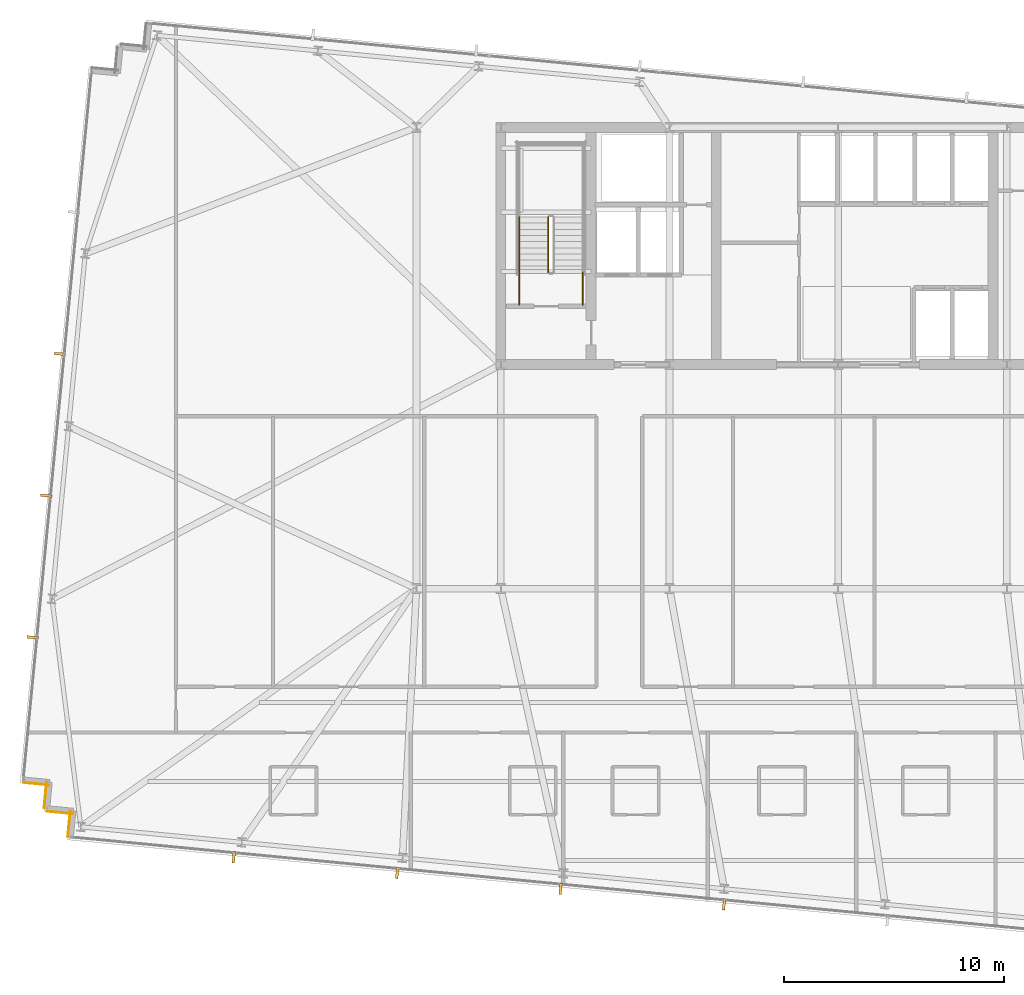
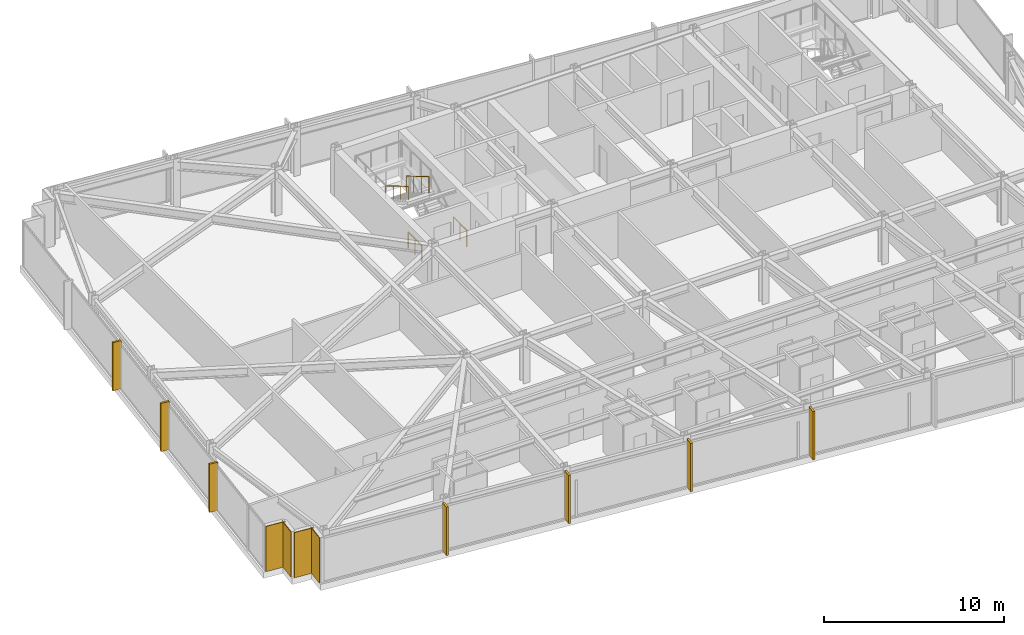
# One storey, part 32 of 37: 7 shading devices, 4 coverings, 4 railings.
"""IFC4 building model written with IfcOpenShell, lengths in metres."""

import ifcopenshell
import ifcopenshell.guid

model = None  # the IFC model being written
_history = None  # IfcOwnerHistory: only IFC2X3 demands one
_inside = {}  # id of a spatial element -> (the spatial element, [elements in it])
_under = {}  # id of a project, library or spatial element -> (it, [spatial elements below it])
_declared = {}  # id of a project -> (the project, [libraries it declares])
_typed = {}  # id of a type object -> (the type object, [elements of that type])
_made_of = {}  # id of a material, layer set ... -> (it, [elements and type objects made of it])


def new_model(schema):
    """Start an empty IFC model of exactly this schema.

    Asked for "IFC4X3", IfcOpenShell would pick the latest addendum, in which some entities
    have other attributes; the version numbers below select the first issue.
    IFC2X3 requires an IfcOwnerHistory on every rooted entity: one is made here for all.
    """
    global model, _history
    if schema == "IFC4X3":
        model = ifcopenshell.file(schema_version=(4, 3, 0, 0))
    else:
        model = ifcopenshell.file(schema=schema)
    _inside.clear()
    _under.clear()
    _declared.clear()
    _typed.clear()
    _made_of.clear()
    _history = None
    if model.schema == "IFC2X3":
        org = make("IfcOrganization", Name="unknown")
        user = make(
            "IfcPersonAndOrganization",
            ThePerson=make("IfcPerson", FamilyName="unknown"),
            TheOrganization=org,
        )
        app = make(
            "IfcApplication",
            ApplicationDeveloper=org,
            Version="unknown",
            ApplicationFullName="unknown",
            ApplicationIdentifier="unknown",
        )
        _history = make(
            "IfcOwnerHistory",
            OwningUser=user,
            OwningApplication=app,
            ChangeAction="ADDED",
            CreationDate=0,
        )
    return model


def make(cls, **values):
    """One entity of the class cls with the attributes given. An attribute that is None is left unset."""
    return model.create_entity(
        cls, **{name: value for name, value in values.items() if value is not None}
    )


def rooted(cls, **values):
    """An entity with a GlobalId (a new one), such as an element, a storey or a relation."""
    return make(cls, GlobalId=ifcopenshell.guid.new(), OwnerHistory=_history, **values)


def si_unit(unit_type, name, prefix=None):
    """IfcSIUnit, for example si_unit("LENGTHUNIT", "METRE", prefix="MILLI")."""
    return make("IfcSIUnit", UnitType=unit_type, Prefix=prefix, Name=name)


def assignment(units):
    """IfcUnitAssignment: the units of a project."""
    return None if units is None else make("IfcUnitAssignment", Units=units)


def point(xyz):
    """IfcCartesianPoint."""
    return None if xyz is None else make("IfcCartesianPoint", Coordinates=xyz)


def direction(xyz):
    """IfcDirection."""
    return None if xyz is None else make("IfcDirection", DirectionRatios=xyz)


def frame(location, z_axis=None, x_axis=None):
    """IfcAxis2Placement3D, a coordinate frame: its origin and axes. An axis left out is left unset."""
    return make(
        "IfcAxis2Placement3D",
        Location=point(location),
        Axis=direction(z_axis),
        RefDirection=direction(x_axis),
    )


def frame_2d(location, x_axis=None):
    """IfcAxis2Placement2D, a coordinate frame in the plane: its origin and x axis."""
    return make(
        "IfcAxis2Placement2D", Location=point(location), RefDirection=direction(x_axis)
    )


def origin():
    """The frame at (0, 0, 0) with its axes left unset."""
    return frame((0.0, 0.0, 0.0))


def origin_2d():
    """The frame at (0, 0) in the plane with its x axis left unset."""
    return frame_2d((0.0, 0.0))


def place(relative_to, where):
    """IfcLocalPlacement: puts the frame where relative to a parent placement (None: the world)."""
    return make(
        "IfcLocalPlacement", PlacementRelTo=relative_to, RelativePlacement=where
    )


def context(
    kind, dimensions, precision=None, world=None, true_north=None, identifier=None
):
    """IfcGeometricRepresentationContext, for example the 3D "Model" context."""
    return make(
        "IfcGeometricRepresentationContext",
        ContextIdentifier=identifier,
        ContextType=kind,
        CoordinateSpaceDimension=dimensions,
        Precision=precision,
        WorldCoordinateSystem=world,
        TrueNorth=true_north,
    )


def subcontext(parent, identifier, kind, view, scale=None):
    """IfcGeometricRepresentationSubContext, for example "Body" below "Model"."""
    return make(
        "IfcGeometricRepresentationSubContext",
        ContextIdentifier=identifier,
        ContextType=kind,
        ParentContext=parent,
        TargetScale=scale,
        TargetView=view,
    )


def project(units=None, contexts=None):
    """IfcProject with its units and contexts."""
    return rooted(
        "IfcProject",
        Name="project",
        RepresentationContexts=contexts,
        UnitsInContext=assignment(units),
    )


def spatial(cls, under=None, at=None, **own):
    """A site, building, storey or space (cls), placed at a placement, below another one or the project."""
    s = rooted(cls, ObjectPlacement=at, **own)
    if under is not None:
        _under.setdefault(under.id(), (under, []))[1].append(s)
    return s


def profile(cls, at=None, kind="AREA", **sizes):
    """A parametric profile (cls). Its sizes go by their IFC names, for example OverallWidth=200.0."""
    return make(cls, ProfileType=kind, Position=at, **sizes)


def rectangle(**sizes):
    """IfcRectangleProfileDef."""
    return profile("IfcRectangleProfileDef", **sizes)


def circle(**sizes):
    """IfcCircleProfileDef."""
    return profile("IfcCircleProfileDef", **sizes)


def extrude(swept, where, along, depth):
    """IfcExtrudedAreaSolid: the profile swept, set in the frame where, extruded along a direction by depth."""
    return make(
        "IfcExtrudedAreaSolid",
        SweptArea=swept,
        Position=where,
        ExtrudedDirection=direction(along),
        Depth=depth,
    )


def shape(context_of_items, identifier, shape_type, items):
    """IfcShapeRepresentation: the items that make up one representation, for example the "Body"."""
    return make(
        "IfcShapeRepresentation",
        ContextOfItems=context_of_items,
        RepresentationIdentifier=identifier,
        RepresentationType=shape_type,
        Items=items,
    )


def material(Name=None, Category=None):
    """IfcMaterial."""
    return make("IfcMaterial", Name=Name, Category=Category)


def layer(
    of_material, thickness, ventilated=None, Name=None, Category=None, Priority=None
):
    """IfcMaterialLayer: one layer of a wall or slab, of a material (None: an air gap)."""
    return make(
        "IfcMaterialLayer",
        Material=of_material,
        LayerThickness=thickness,
        IsVentilated=ventilated,
        Name=Name,
        Category=Category,
        Priority=Priority,
    )


def layer_set(layers, Name=None):
    """IfcMaterialLayerSet."""
    return make("IfcMaterialLayerSet", MaterialLayers=layers, LayerSetName=Name)


def made_of(thing, what):
    """Note that an element or type object is made of a material, layer set ...; save() writes the relation."""
    if what is not None:
        _made_of.setdefault(what.id(), (what, []))[1].append(thing)
    return thing


def type_object(cls, material=None, **own):
    """A type object (cls), such as IfcWallType, which elements share."""
    return made_of(rooted(cls, **own), material)


def element(
    cls,
    number,
    at=None,
    inside=None,
    cuts=None,
    type_object=None,
    material=None,
    context=None,
    identifier="Body",
    shape_type=None,
    held_by="IfcProductDefinitionShape",
    body=None,
    shapes=None,
    **own,
):
    """One element of the class cls, such as IfcWall. Its Tag is "e" and its number.

    at: its placement. inside: the storey or other place that contains it. cuts: it is an
    opening in that element (IfcRelVoidsElement). A single representation is given by context,
    identifier, shape_type and body (its items); several are given by shapes. held_by: the class
    of the entity that holds the representations. save() writes the other relations.
    """
    e = rooted(cls, Tag="e%d" % number, ObjectPlacement=at, **own)
    if body is not None:
        shapes = [shape(context, identifier, shape_type, body)]
    if shapes is not None:
        e.Representation = make(held_by, Representations=shapes)
    if inside is not None:
        _inside.setdefault(inside.id(), (inside, []))[1].append(e)
    if cuts is not None:
        rooted(
            "IfcRelVoidsElement", RelatingBuildingElement=cuts, RelatedOpeningElement=e
        )
    if type_object is not None:
        _typed.setdefault(type_object.id(), (type_object, []))[1].append(e)
    return made_of(e, material)


def aggregate(whole, parts):
    """IfcRelAggregates: a whole, such as a stair, and the parts it consists of."""
    return rooted("IfcRelAggregates", RelatingObject=whole, RelatedObjects=parts)


def save(model, path):
    """Write the relations noted so far, then the file.

    IfcRelAggregates (storeys below a building ...), IfcRelContainedInSpatialStructure (elements
    in a storey), IfcRelDefinesByType, IfcRelAssociatesMaterial and IfcRelDeclares: one each for
    every whole, place, type object, material and project.
    """
    for whole, parts in _under.values():
        aggregate(whole, parts)
    for where, things in _inside.values():
        rooted(
            "IfcRelContainedInSpatialStructure",
            RelatedElements=things,
            RelatingStructure=where,
        )
    for kind, things in _typed.values():
        rooted("IfcRelDefinesByType", RelatedObjects=things, RelatingType=kind)
    for what, things in _made_of.values():
        rooted("IfcRelAssociatesMaterial", RelatedObjects=things, RelatingMaterial=what)
    for by, libraries in _declared.values():
        rooted("IfcRelDeclares", RelatingContext=by, RelatedDefinitions=libraries)
    model.write(path)


model = new_model("IFC4")

# Units and contexts
model_context = context("Model", 3, precision=1e-05, world=origin(), true_north=direction((0.0, 1.0)))
body_context = subcontext(model_context, "Body", "Model", "MODEL_VIEW")
ifc_project = project(units=[si_unit("LENGTHUNIT", "METRE"), si_unit("AREAUNIT", "SQUARE_METRE"), si_unit("VOLUMEUNIT", "CUBIC_METRE"), si_unit("PLANEANGLEUNIT", "RADIAN"), si_unit("MASSUNIT", "GRAM", prefix="KILO")], contexts=[model_context])

# Site, building, storey
site_placement = place(None, origin())
site = spatial("IfcSite", under=ifc_project, at=site_placement, CompositionType="ELEMENT")
building_placement = place(site_placement, origin())
building = spatial("IfcBuilding", under=site, at=building_placement, Name="Yelkora Congress Tower", CompositionType="ELEMENT")
storey_placement = place(building_placement, frame((0.0, 0.0, 149.0)))
storey = spatial("IfcBuildingStorey", under=building, at=storey_placement, Name="L40", CompositionType="ELEMENT", Elevation=149.0)

# Coverings
ifc_material_1 = material(Name="Anatolian bush-hammered limestone", Category="masonry")
ifc_layer_1 = layer(ifc_material_1, 0.0400390625)
ifc_layer_set_1 = layer_set([ifc_layer_1], Name="Anatolian bush-hammered limestone")
covering_type = type_object("IfcCoveringType", Name="COV-CLAD-SPANDREL-40", PredefinedType="CLADDING", material=ifc_layer_set_1)
covering_1_placement = place(storey_placement, frame((3.327880859375, 13.90185546875, 0.0), z_axis=(0.0, 0.0, 1.0), x_axis=(0.095817067274, 0.995398960025, 0.0)))
element("IfcCovering", 1, at=covering_1_placement, inside=storey, type_object=covering_type, Name="L40 Anatolian Limestone Cladding EW-L40-SR01", PredefinedType="CLADDING", context=body_context, shape_type="SweptSolid", body=[
    extrude(rectangle(XDim=1.2001953125, YDim=0.0400390625, at=frame_2d((0.60009765625, 0.0))), origin(), (0.0, 0.0, 1.0), 3.080078125),
])
covering_2_placement = place(storey_placement, frame((3.564208984375, 14.94921875, 0.0), z_axis=(0.0, 0.0, 1.0), x_axis=(-0.995397091755, 0.095836473879, 0.0)))
element("IfcCovering", 2, at=covering_2_placement, inside=storey, type_object=covering_type, Name="L40 Anatolian Limestone Cladding EW-L40-SR02", PredefinedType="CLADDING", context=body_context, shape_type="SweptSolid", body=[
    extrude(rectangle(XDim=1.199951171875, YDim=0.0400390625, at=frame_2d((0.60009765625, 0.0))), origin(), (0.0, 0.0, 1.0), 3.080078125),
])
for number, where, z_axis, x_axis, name in (
    (3, (2.248291015625, 15.21142578125, 0.0), (0.0, 0.0, 1.0), (0.095817067274, 0.995398960025, 0.0), "L40 Anatolian Limestone Cladding EW-L40-SR03"),
    (4, (2.48486328125, 16.258544921875, 0.0), (0.0, 0.0, 1.0), (-0.995398960025, 0.095817067274, 0.0), "L40 Anatolian Limestone Cladding EW-L40-SR04"),
):
    element("IfcCovering", number, at=place(storey_placement, frame(where, z_axis=z_axis, x_axis=x_axis)), inside=storey, type_object=covering_type, Name=name, PredefinedType="CLADDING", context=body_context, shape_type="SweptSolid", body=[
        extrude(rectangle(XDim=1.2001953125, YDim=0.0400390625, at=frame_2d((0.60009765625, 0.0))), origin(), (0.0, 0.0, 1.0), 3.080078125),
    ])

# Railings
ifc_material_2 = material(Name="Painted galvanised steel stair well guard with vertical infill", Category="steel")
ifc_layer_2 = layer(ifc_material_2, 0.06005859375)
ifc_layer_set_2 = layer_set([ifc_layer_2], Name="Painted galvanised steel stair well guard with vertical infill")
railing_type_1 = type_object("IfcRailingType", Name="RAIL-STAIR-GUARD-1120", PredefinedType="GUARDRAIL", material=ifc_layer_set_2)
railing_1_placement = place(storey_placement, frame((25.18994140625, 42.1201171875, 1.81494140625)))
element("IfcRailing", 5, at=railing_1_placement, inside=storey, type_object=railing_type_1, Name="ST-01 L40 Stair Well Guardrail 6", PredefinedType="GUARDRAIL", context=body_context, shape_type="SweptSolid", body=[
    extrude(circle(Radius=0.02392578125, at=origin_2d()), frame((0.0, 0.0, 1.09619140625), z_axis=(0.0, -0.86152411907, 0.507716645641), x_axis=(1.0, 0.0, 0.0)), (0.0, 0.0, 1.0), 2.925048828125),
    extrude(circle(Radius=0.02099609375, at=origin_2d()), origin(), (0.0, 0.0, 1.0), 1.072021484375),
    extrude(circle(Radius=0.02099609375, at=origin_2d()), frame((0.0, -0.840087890625, 0.4951171875)), (0.0, 0.0, 1.0), 1.072021484375),
    extrude(circle(Radius=0.02099609375, at=origin_2d()), frame((0.0, -1.679931640625, 0.989990234375)), (0.0, 0.0, 1.0), 1.072021484375),
    extrude(circle(Radius=0.02099609375, at=origin_2d()), frame((0.0, -2.52001953125, 1.485107421875)), (0.0, 0.0, 1.0), 1.072021484375),
])
for number, where, name in (
    (6, (26.77001953125, 38.1201171875, 0.0), "ST-01 L40 Stair Well Guardrail 8"),
    (7, (23.8701171875, 38.1201171875, 0.0), "ST-01 L40 Stair Well Guardrail 9"),
):
    element("IfcRailing", number, at=place(storey_placement, frame(where)), inside=storey, type_object=railing_type_1, Name=name, PredefinedType="GUARDRAIL", context=body_context, shape_type="SweptSolid", body=[
        extrude(circle(Radius=0.02392578125, at=origin_2d()), frame((0.0, 0.0, 1.09619140625), z_axis=(0.0, 1.0, 0.0), x_axis=(-1.0, 0.0, 0.0)), (0.0, 0.0, 1.0), 1.47998046875),
        extrude(circle(Radius=0.02099609375, at=origin_2d()), origin(), (0.0, 0.0, 1.0), 1.072021484375),
        extrude(circle(Radius=0.02099609375, at=origin_2d()), frame((0.0, 0.739990234375, 0.0)), (0.0, 0.0, 1.0), 1.072021484375),
        extrude(circle(Radius=0.02099609375, at=origin_2d()), frame((0.0, 1.47998046875, 0.0)), (0.0, 0.0, 1.0), 1.072021484375),
    ])
ifc_material_3 = material(Name="Brushed stainless steel tubular handrail", Category="steel")
ifc_layer_3 = layer(ifc_material_3, 0.050048828125)
ifc_layer_set_3 = layer_set([ifc_layer_3], Name="Brushed stainless steel tubular handrail")
railing_type_2 = type_object("IfcRailingType", Name="RAIL-STAIR-HAND-920", PredefinedType="HANDRAIL", material=ifc_layer_set_3)
railing_2_placement = place(storey_placement, frame((23.8701171875, 42.1201171875, 1.81494140625)))
element("IfcRailing", 8, at=railing_2_placement, inside=storey, type_object=railing_type_2, Name="ST-01 L40 Pitch Handrail 2", PredefinedType="HANDRAIL", context=body_context, shape_type="SweptSolid", body=[
    extrude(circle(Radius=0.02392578125, at=origin_2d()), frame((0.0, 0.0, 0.89599609375), z_axis=(0.0, -0.86152411907, 0.507716645641), x_axis=(1.0, 0.0, 0.0)), (0.0, 0.0, 1.0), 2.925048828125),
    extrude(circle(Radius=0.02099609375, at=origin_2d()), origin(), (0.0, 0.0, 1.0), 0.871826171875),
    extrude(circle(Radius=0.02099609375, at=origin_2d()), frame((0.0, -0.840087890625, 0.4951171875)), (0.0, 0.0, 1.0), 0.871826171875),
    extrude(circle(Radius=0.02099609375, at=origin_2d()), frame((0.0, -1.679931640625, 0.989990234375)), (0.0, 0.0, 1.0), 0.871826171875),
    extrude(circle(Radius=0.02099609375, at=origin_2d()), frame((0.0, -2.52001953125, 1.485107421875)), (0.0, 0.0, 1.0), 0.871826171875),
])

# Shading devices
ifc_material_4 = material(Name="Champagne anodised aluminium", Category="aluminium")
ifc_layer_4 = layer(ifc_material_4, 3.300048828125)
ifc_layer_set_4 = layer_set([ifc_layer_4], Name="Champagne anodised aluminium")
shading_device_type = type_object("IfcShadingDeviceType", Name="SHD-FIN-ALU-520", PredefinedType="USERDEFINED", material=ifc_layer_set_4)
for number, where, z_axis, x_axis, name in (
    (9, (1.7255859375, 22.981201171875, -0.02978515625), (0.0, 0.0, 1.0), (0.09584575252, 0.995396198367, 0.0), "L40 Vertical Anodised Solar Fin 5-1"),
    (10, (2.34716796875, 29.435302734375, -0.02978515625), (0.0, 0.0, 1.0), (0.09584575252, 0.995396198367, 0.0), "L40 Vertical Anodised Solar Fin 5-2"),
    (11, (2.968505859375, 35.889404296875, -0.02978515625), (0.0, 0.0, 1.0), (0.09584575252, 0.995396198367, 0.0), "L40 Vertical Anodised Solar Fin 5-3"),
    (12, (33.202392578125, 10.82421875, -0.02978515625), (0.0, 0.0, 1.0), (-0.995396198367, 0.09584575252, 0.0), "L40 Vertical Anodised Solar Fin 20-3"),
    (13, (25.7626953125, 11.540771484375, -0.02978515625), (0.0, 0.0, 1.0), (-0.995396198367, 0.09584575252, 0.0), "L40 Vertical Anodised Solar Fin 20-4"),
    (14, (18.32275390625, 12.257080078125, -0.02978515625), (0.0, 0.0, 1.0), (-0.995396198367, 0.09584575252, 0.0), "L40 Vertical Anodised Solar Fin 20-5"),
    (15, (10.8828125, 12.973388671875, -0.02978515625), (0.0, 0.0, 1.0), (-0.995396198367, 0.09584575252, 0.0), "L40 Vertical Anodised Solar Fin 20-6"),
):
    element("IfcShadingDevice", number, at=place(storey_placement, frame(where, z_axis=z_axis, x_axis=x_axis)), inside=storey, type_object=shading_device_type, Name=name, ObjectType="FIN", PredefinedType="USERDEFINED", context=body_context, shape_type="SweptSolid", body=[
        extrude(rectangle(XDim=0.1201171875, YDim=0.52001953125, at=origin_2d()), origin(), (0.0, 0.0, 1.0), 3.280029296875),
    ])

save(model, "model.ifc")
